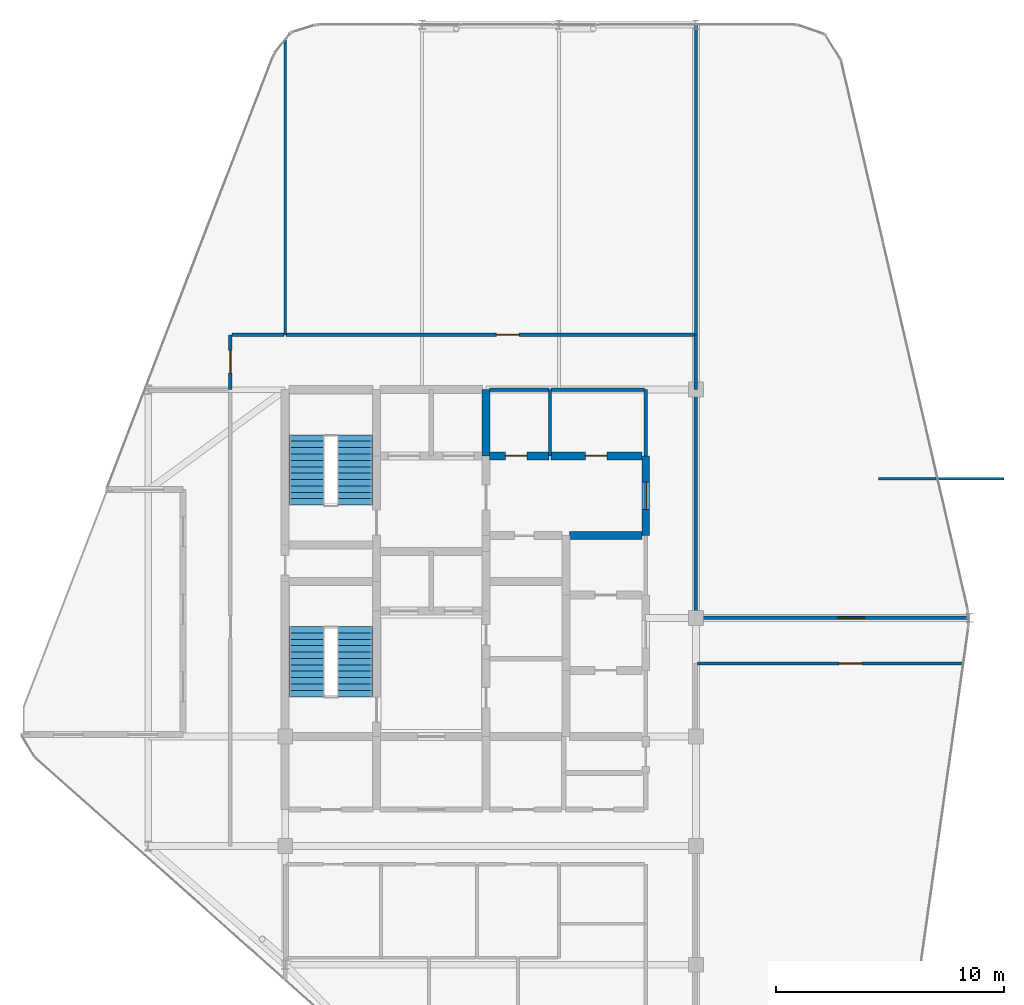
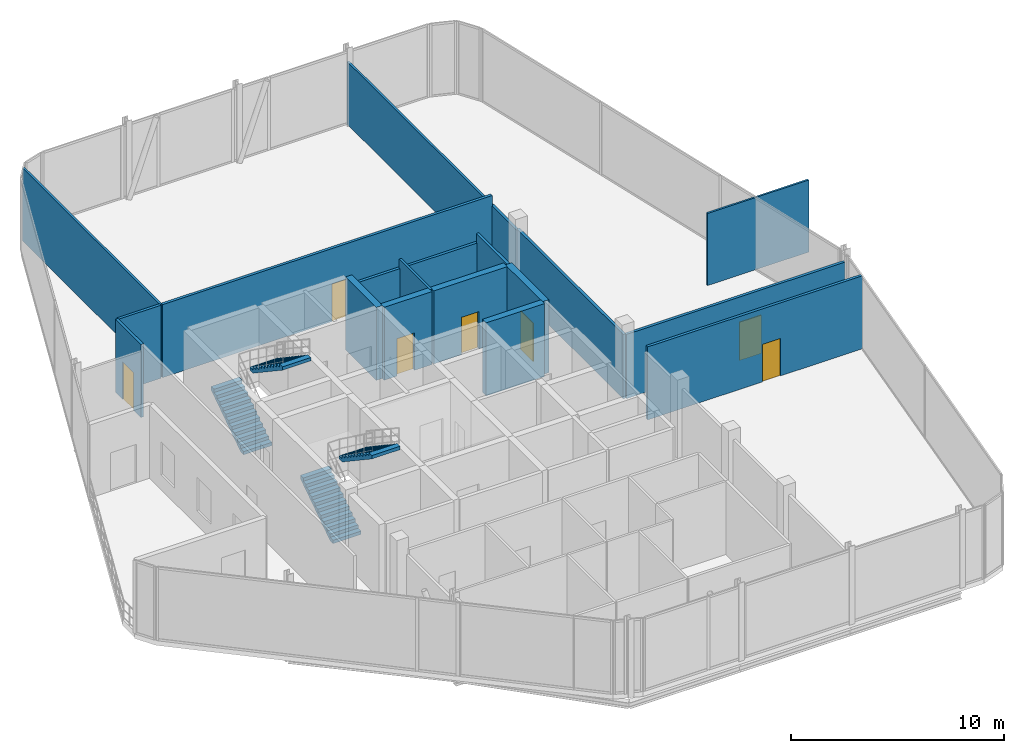
# One storey, part 23 of 24: 19 walls, 7 doors, 4 stair flights, 7 openings, 2 elements without a shape of their own.
"""IFC4 building model written with IfcOpenShell, lengths in metres."""

from ifc_helpers import new_model, si_unit, direction, frame, frame_2d, origin, place, context, subcontext, project, spatial, polyline, rectangle, outline, extrude, material, layer, layer_set, type_object, element, fill, aggregate, save


model = new_model("IFC4")

# Units and contexts
model_context = context("Model", 3, precision=1e-05, world=origin(), true_north=direction((0.0, 1.0)))
body_context = subcontext(model_context, "Body", "Model", "MODEL_VIEW")
ifc_project = project(units=[si_unit("LENGTHUNIT", "METRE"), si_unit("AREAUNIT", "SQUARE_METRE"), si_unit("VOLUMEUNIT", "CUBIC_METRE"), si_unit("PLANEANGLEUNIT", "RADIAN"), si_unit("MASSUNIT", "GRAM", prefix="KILO")], contexts=[model_context])

# Site, building, storey
site_placement = place(None, origin())
site = spatial("IfcSite", under=ifc_project, at=site_placement, CompositionType="ELEMENT")
building_placement = place(site_placement, origin())
building = spatial("IfcBuilding", under=site, at=building_placement, Name="Keshet Zoharim Tower", CompositionType="ELEMENT")
storey_placement = place(building_placement, frame((0.0, 0.0, 299.10009765625)))
storey = spatial("IfcBuildingStorey", under=building, at=storey_placement, Name="L75", CompositionType="ELEMENT", Elevation=299.10009765625)

# Wall, opening, door
ifc_material_1 = material(Name="Gypsum Plasterboard", Category="gypsum")
ifc_layer_1 = layer(ifc_material_1, 0.14990234375)
ifc_layer_set_1 = layer_set([ifc_layer_1], Name="Gypsum Plasterboard")
wall_type_1 = type_object("IfcWallType", Name="WL-CLIN-150", PredefinedType="STANDARD", material=ifc_layer_set_1)
wall_1_placement = place(storey_placement, frame((12.60009765625, 37.89990234375, 0.0), z_axis=(0.0, 0.0, 1.0), x_axis=(0.0, 1.0, 0.0)))
wall_1 = element("IfcWall", 1, at=wall_1_placement, inside=storey, type_object=wall_type_1, Name="L75 Interior Wall 002", PredefinedType="STANDARD", context=body_context, shape_type="SweptSolid", body=[
    extrude(rectangle(XDim=2.400146484375, YDim=0.14990234375, at=frame_2d((1.2001953125, 0.0))), origin(), (0.0, 0.0, 1.0), 4.18994140625),
])
opening_1_placement = place(wall_1_placement, frame((0.72509765625, 0.0, 0.0)))
opening_1 = element("IfcOpeningElement", 2, at=opening_1_placement, cuts=wall_1, Name="Opening D-F310", PredefinedType="OPENING", context=body_context, shape_type="SweptSolid", body=[
    extrude(rectangle(XDim=1.0, YDim=2.14990234375, at=frame_2d((0.5, 1.074951171875))), frame((0.0, 0.0849609375, 0.0), z_axis=(0.0, -1.0, 0.0), x_axis=(1.0, 0.0, 0.0)), (0.0, 0.0, 1.0), 0.169921875),
])
ifc_material_2 = material(Name="Hardwood Timber", Category="wood")
door_type_1 = type_object("IfcDoorType", Name="DR-FD30-100", OperationType="NOTDEFINED", PredefinedType="DOOR", material=ifc_material_2)
door_1_placement = place(opening_1_placement, origin())
door_1 = element("IfcDoor", 3, at=door_1_placement, inside=storey, type_object=door_type_1, Name="L75 North-West Residents Salon Door", OperationType="SINGLE_SWING_LEFT", OverallHeight=2.14990234375, OverallWidth=1.0, PredefinedType="DOOR", context=body_context, shape_type="SweptSolid", body=[
    extrude(rectangle(XDim=1.0, YDim=2.14990234375, at=frame_2d((0.5, 1.074951171875))), frame((0.0, 0.02490234375, 0.0), z_axis=(0.0, -1.0, 0.0), x_axis=(1.0, 0.0, 0.0)), (0.0, 0.0, 1.0), 0.050048828125),
])
fill(opening_1, door_1)

# Walls
wall_2_placement = place(storey_placement, frame((30.800048828125, 35.0, 0.0), z_axis=(0.0, 0.0, 1.0), x_axis=(0.0, 1.0, 0.0)))
element("IfcWall", 4, at=wall_2_placement, inside=storey, type_object=wall_type_1, Name="L75 Interior Wall 045", PredefinedType="STANDARD", context=body_context, shape_type="SweptSolid", body=[
    extrude(rectangle(XDim=2.89990234375, YDim=0.14990234375, at=frame_2d((1.449951171875, 0.0))), origin(), (0.0, 0.0, 1.0), 4.18994140625),
])
wall_3_placement = place(storey_placement, frame((33.0, 27.89990234375, 0.0), z_axis=(0.0, 0.0, 1.0), x_axis=(0.0, 1.0, 0.0)))
element("IfcWall", 5, at=wall_3_placement, inside=storey, type_object=wall_type_1, Name="L75 Interior Wall 047", PredefinedType="STANDARD", context=body_context, shape_type="SweptSolid", body=[
    extrude(rectangle(XDim=10.0, YDim=0.14990234375, at=frame_2d((5.0, 0.0))), origin(), (0.0, 0.0, 1.0), 3.68994140625),
])

# Wall, opening, door
wall_4_placement = place(storey_placement, frame((33.06005859375, 25.89990234375, 0.0), z_axis=(0.0, 0.0, 1.0), x_axis=(1.0, 0.0, 0.0)))
wall_4 = element("IfcWall", 6, at=wall_4_placement, inside=storey, type_object=wall_type_1, Name="L75 Interior Wall 070", PredefinedType="STANDARD", context=body_context, shape_type="SweptSolid", body=[
    extrude(rectangle(XDim=11.64697265625, YDim=0.14990234375, at=frame_2d((5.823486328125, 0.0))), origin(), (0.0, 0.0, 1.0), 4.18994140625),
])
opening_2_placement = place(wall_4_placement, frame((6.218994140625, 0.0, 0.0)))
opening_2 = element("IfcOpeningElement", 7, at=opening_2_placement, cuts=wall_4, Name="Opening D-F310", PredefinedType="OPENING", context=body_context, shape_type="SweptSolid", body=[
    extrude(rectangle(XDim=1.0, YDim=2.14990234375, at=frame_2d((0.5, 1.074951171875))), frame((0.0, 0.0849609375, 0.0), z_axis=(0.0, -1.0, 0.0), x_axis=(1.0, 0.0, 0.0)), (0.0, 0.0, 1.0), 0.169921875),
])
door_2_placement = place(opening_2_placement, origin())
door_2 = element("IfcDoor", 8, at=door_2_placement, inside=storey, type_object=door_type_1, Name="L75 Residents Dining Lounge Door", OperationType="SINGLE_SWING_RIGHT", OverallHeight=2.14990234375, OverallWidth=1.0, PredefinedType="DOOR", context=body_context, shape_type="SweptSolid", body=[
    extrude(rectangle(XDim=1.0, YDim=2.14990234375, at=frame_2d((0.5, 1.074951171875))), frame((0.0, 0.02490234375, 0.0), z_axis=(0.0, -1.0, 0.0), x_axis=(1.0, 0.0, 0.0)), (0.0, 0.0, 1.0), 0.050048828125),
])
fill(opening_2, door_2)

wall_5_placement = place(storey_placement, frame((33.06005859375, 27.89990234375, 0.0), z_axis=(0.0, 0.0, 1.0), x_axis=(1.0, 0.0, 0.0)))
wall_5 = element("IfcWall", 9, at=wall_5_placement, inside=storey, type_object=wall_type_1, Name="L75 Interior Wall 072", PredefinedType="STANDARD", context=body_context, shape_type="SweptSolid", body=[
    extrude(rectangle(XDim=11.862060546875, YDim=0.14990234375, at=frame_2d((5.93115234375, 0.0))), origin(), (0.0, 0.0, 1.0), 3.68994140625),
])
opening_3_placement = place(wall_5_placement, frame((6.155029296875, 0.0, 0.0)))
opening_3 = element("IfcOpeningElement", 10, at=opening_3_placement, cuts=wall_5, Name="Opening D-F612", PredefinedType="OPENING", context=body_context, shape_type="SweptSolid", body=[
    extrude(rectangle(XDim=1.199951171875, YDim=2.199951171875, at=frame_2d((0.60009765625, 1.10009765625))), frame((0.0, 0.0849609375, 0.0), z_axis=(0.0, -1.0, 0.0), x_axis=(1.0, 0.0, 0.0)), (0.0, 0.0, 1.0), 0.169921875),
])
door_type_2 = type_object("IfcDoorType", Name="DR-FD60-120", OperationType="NOTDEFINED", PredefinedType="DOOR", material=ifc_material_2)
door_3_placement = place(opening_3_placement, origin())
door_3 = element("IfcDoor", 11, at=door_3_placement, inside=storey, type_object=door_type_2, Name="L75 Community Assembly Hall Door", OperationType="SINGLE_SWING_LEFT", OverallHeight=2.199951171875, OverallWidth=1.199951171875, PredefinedType="DOOR", context=body_context, shape_type="SweptSolid", body=[
    extrude(rectangle(XDim=1.199951171875, YDim=2.199951171875, at=frame_2d((0.60009765625, 1.10009765625))), frame((0.0, 0.02490234375, 0.0), z_axis=(0.0, -1.0, 0.0), x_axis=(1.0, 0.0, 0.0)), (0.0, 0.0, 1.0), 0.050048828125),
])
fill(opening_3, door_3)

# Walls
wall_6_placement = place(storey_placement, frame((23.9599609375, 37.89990234375, 0.0), z_axis=(0.0, 0.0, 1.0), x_axis=(1.0, 0.0, 0.0)))
element("IfcWall", 12, at=wall_6_placement, inside=storey, type_object=wall_type_1, Name="L75 Interior Wall 087", PredefinedType="STANDARD", context=body_context, shape_type="SweptSolid", body=[
    extrude(rectangle(XDim=2.594970703125, YDim=0.14990234375, at=frame_2d((1.29736328125, 0.0))), origin(), (0.0, 0.0, 1.0), 3.68994140625),
])
wall_7_placement = place(storey_placement, frame((26.64501953125, 37.89990234375, 0.0), z_axis=(0.0, 0.0, 1.0), x_axis=(1.0, 0.0, 0.0)))
element("IfcWall", 13, at=wall_7_placement, inside=storey, type_object=wall_type_1, Name="L75 Interior Wall 088", PredefinedType="STANDARD", context=body_context, shape_type="SweptSolid", body=[
    extrude(rectangle(XDim=4.094970703125, YDim=0.14990234375, at=frame_2d((2.04736328125, 0.0))), origin(), (0.0, 0.0, 1.0), 3.68994140625),
])
wall_8_placement = place(storey_placement, frame((12.659912109375, 40.300048828125, 0.0), z_axis=(0.0, 0.0, 1.0), x_axis=(1.0, 0.0, 0.0)))
element("IfcWall", 14, at=wall_8_placement, inside=storey, type_object=wall_type_1, Name="L75 Interior Wall 089", PredefinedType="STANDARD", context=body_context, shape_type="SweptSolid", body=[
    extrude(rectangle(XDim=2.295166015625, YDim=0.14990234375, at=frame_2d((1.1474609375, 0.0))), origin(), (0.0, 0.0, 1.0), 4.18994140625),
])

# Wall, opening, door
wall_9_placement = place(storey_placement, frame((15.044921875, 40.300048828125, 0.0), z_axis=(0.0, 0.0, 1.0), x_axis=(1.0, 0.0, 0.0)))
wall_9 = element("IfcWall", 15, at=wall_9_placement, inside=storey, type_object=wall_type_1, Name="L75 Interior Wall 090", PredefinedType="STANDARD", context=body_context, shape_type="SweptSolid", body=[
    extrude(rectangle(XDim=17.89501953125, YDim=0.14990234375, at=frame_2d((8.947509765625, 0.0))), origin(), (0.0, 0.0, 1.0), 4.18994140625),
])
opening_4_placement = place(wall_9_placement, frame((9.205078125, 0.0, 0.0)))
opening_4 = element("IfcOpeningElement", 16, at=opening_4_placement, cuts=wall_9, Name="Opening D-F310", PredefinedType="OPENING", context=body_context, shape_type="SweptSolid", body=[
    extrude(rectangle(XDim=1.0, YDim=2.14990234375, at=frame_2d((0.5, 1.074951171875))), frame((0.0, 0.0849609375, 0.0), z_axis=(0.0, -1.0, 0.0), x_axis=(1.0, 0.0, 0.0)), (0.0, 0.0, 1.0), 0.169921875),
])
door_4_placement = place(opening_4_placement, origin())
door_4 = element("IfcDoor", 17, at=door_4_placement, inside=storey, type_object=door_type_1, Name="L75 Library and Study Room Door", OperationType="SINGLE_SWING_RIGHT", OverallHeight=2.14990234375, OverallWidth=1.0, PredefinedType="DOOR", context=body_context, shape_type="SweptSolid", body=[
    extrude(rectangle(XDim=1.0, YDim=2.14990234375, at=frame_2d((0.5, 1.074951171875))), frame((0.0, 0.02490234375, 0.0), z_axis=(0.0, -1.0, 0.0), x_axis=(1.0, 0.0, 0.0)), (0.0, 0.0, 1.0), 0.050048828125),
])
fill(opening_4, door_4)

# Walls
wall_10_placement = place(storey_placement, frame((33.0, 37.89990234375, 0.0), z_axis=(0.0, 0.0, 1.0), x_axis=(0.0, 1.0, 0.0)))
element("IfcWall", 18, at=wall_10_placement, inside=storey, type_object=wall_type_1, Name="L75 Interior Wall 047 Part 2", PredefinedType="STANDARD", context=body_context, shape_type="SweptSolid", body=[
    extrude(rectangle(XDim=2.400146484375, YDim=0.14990234375, at=frame_2d((1.2001953125, 0.0))), origin(), (0.0, 0.0, 1.0), 3.58984375),
])
ifc_material_3 = material(Name="Concrete C60/75", Category="concrete")
ifc_layer_2 = layer(ifc_material_3, 0.35009765625)
ifc_layer_set_2 = layer_set([ifc_layer_2], Name="Concrete C60/75")
wall_type_2 = type_object("IfcWallType", Name="WL-CORE-350", PredefinedType="SHEAR", material=ifc_layer_set_2)
wall_11_placement = place(storey_placement, frame((23.800048828125, 35.0, 0.0), z_axis=(0.0, 0.0, 1.0), x_axis=(0.0, 1.0, 0.0)))
element("IfcWall", 19, at=wall_11_placement, inside=storey, type_object=wall_type_2, Name="L75 Core Shear Wall 026", PredefinedType="SHEAR", context=body_context, shape_type="SweptSolid", body=[
    extrude(rectangle(XDim=2.89990234375, YDim=0.35009765625, at=frame_2d((1.449951171875, 0.0))), origin(), (0.0, 0.0, 1.0), 4.18994140625),
])

# Wall, opening, door
wall_12_placement = place(storey_placement, frame((30.800048828125, 31.5, 0.0), z_axis=(0.0, 0.0, 1.0), x_axis=(0.0, 1.0, 0.0)))
wall_12 = element("IfcWall", 20, at=wall_12_placement, inside=storey, type_object=wall_type_2, Name="L75 Core Shear Wall 044", PredefinedType="SHEAR", context=body_context, shape_type="SweptSolid", body=[
    extrude(rectangle(XDim=3.5, YDim=0.35009765625, at=frame_2d((1.75, 0.0))), origin(), (0.0, 0.0, 1.0), 4.18994140625),
])
opening_5_placement = place(wall_12_placement, frame((1.14990234375, 0.0, 0.0)))
opening_5 = element("IfcOpeningElement", 21, at=opening_5_placement, cuts=wall_12, Name="Opening D-F612", PredefinedType="OPENING", context=body_context, shape_type="SweptSolid", body=[
    extrude(rectangle(XDim=1.199951171875, YDim=2.199951171875, at=frame_2d((0.60009765625, 1.10009765625))), frame((0.0, 0.18505859375, 0.0), z_axis=(0.0, -1.0, 0.0), x_axis=(1.0, 0.0, 0.0)), (0.0, 0.0, 1.0), 0.3701171875),
])
door_5_placement = place(opening_5_placement, origin())
door_5 = element("IfcDoor", 22, at=door_5_placement, inside=storey, type_object=door_type_2, Name="L75 North Lift Lobby East Fire Door", OperationType="SINGLE_SWING_RIGHT", OverallHeight=2.199951171875, OverallWidth=1.199951171875, PredefinedType="DOOR", context=body_context, shape_type="SweptSolid", body=[
    extrude(rectangle(XDim=1.199951171875, YDim=2.199951171875, at=frame_2d((0.60009765625, 1.10009765625))), frame((0.0, 0.02490234375, 0.0), z_axis=(0.0, -1.0, 0.0), x_axis=(1.0, 0.0, 0.0)), (0.0, 0.0, 1.0), 0.050048828125),
])
fill(opening_5, door_5)

# Wall
wall_13_placement = place(storey_placement, frame((27.4599609375, 31.5, 0.0), z_axis=(0.0, 0.0, 1.0), x_axis=(1.0, 0.0, 0.0)))
element("IfcWall", 23, at=wall_13_placement, inside=storey, type_object=wall_type_2, Name="L75 Core Shear Wall 080", PredefinedType="SHEAR", context=body_context, shape_type="SweptSolid", body=[
    extrude(rectangle(XDim=3.179931640625, YDim=0.35009765625, at=frame_2d((1.58984375, 0.0))), origin(), (0.0, 0.0, 1.0), 4.18994140625),
])

# Wall, opening, door
wall_14_placement = place(storey_placement, frame((23.9599609375, 35.0, 0.0), z_axis=(0.0, 0.0, 1.0), x_axis=(1.0, 0.0, 0.0)))
wall_14 = element("IfcWall", 24, at=wall_14_placement, inside=storey, type_object=wall_type_2, Name="L75 Core Shear Wall 082", PredefinedType="SHEAR", context=body_context, shape_type="SweptSolid", body=[
    extrude(rectangle(XDim=2.594970703125, YDim=0.35009765625, at=frame_2d((1.29736328125, 0.0))), origin(), (0.0, 0.0, 1.0), 4.18994140625),
])
opening_6_placement = place(wall_14_placement, frame((0.69091796875, 0.0, 0.0)))
opening_6 = element("IfcOpeningElement", 25, at=opening_6_placement, cuts=wall_14, Name="Opening D-F695", PredefinedType="OPENING", context=body_context, shape_type="SweptSolid", body=[
    extrude(rectangle(XDim=0.949951171875, YDim=2.14990234375, at=frame_2d((0.47509765625, 1.074951171875))), frame((0.0, 0.18505859375, 0.0), z_axis=(0.0, -1.0, 0.0), x_axis=(1.0, 0.0, 0.0)), (0.0, 0.0, 1.0), 0.3701171875),
])
door_type_3 = type_object("IfcDoorType", Name="DR-FD60-095", OperationType="NOTDEFINED", PredefinedType="DOOR", material=ifc_material_2)
door_6_placement = place(opening_6_placement, frame((0.949951171875, 0.0, 0.0), z_axis=(0.0, 0.0, 1.0), x_axis=(-1.0, 0.0, 0.0)))
door_6 = element("IfcDoor", 26, at=door_6_placement, inside=storey, type_object=door_type_3, Name="L75 Laundry Room Door", OperationType="SINGLE_SWING_RIGHT", OverallHeight=2.14990234375, OverallWidth=0.949951171875, PredefinedType="DOOR", context=body_context, shape_type="SweptSolid", body=[
    extrude(rectangle(XDim=0.949951171875, YDim=2.14990234375, at=frame_2d((0.47509765625, 1.074951171875))), frame((0.0, 0.02490234375, 0.0), z_axis=(0.0, -1.0, 0.0), x_axis=(1.0, 0.0, 0.0)), (0.0, 0.0, 1.0), 0.050048828125),
])
fill(opening_6, door_6)

wall_15_placement = place(storey_placement, frame((26.64501953125, 35.0, 0.0), z_axis=(0.0, 0.0, 1.0), x_axis=(1.0, 0.0, 0.0)))
wall_15 = element("IfcWall", 27, at=wall_15_placement, inside=storey, type_object=wall_type_2, Name="L75 Core Shear Wall 083", PredefinedType="SHEAR", context=body_context, shape_type="SweptSolid", body=[
    extrude(rectangle(XDim=3.994873046875, YDim=0.35009765625, at=frame_2d((1.99755859375, 0.0))), origin(), (0.0, 0.0, 1.0), 4.18994140625),
])
opening_7_placement = place(wall_15_placement, frame((1.508056640625, 0.0, 0.0)))
opening_7 = element("IfcOpeningElement", 28, at=opening_7_placement, cuts=wall_15, Name="Opening D-F695", PredefinedType="OPENING", context=body_context, shape_type="SweptSolid", body=[
    extrude(rectangle(XDim=0.949951171875, YDim=2.14990234375, at=frame_2d((0.47509765625, 1.074951171875))), frame((0.0, 0.18505859375, 0.0), z_axis=(0.0, -1.0, 0.0), x_axis=(1.0, 0.0, 0.0)), (0.0, 0.0, 1.0), 0.3701171875),
])
door_7_placement = place(opening_7_placement, frame((0.949951171875, 0.0, 0.0), z_axis=(0.0, 0.0, 1.0), x_axis=(-1.0, 0.0, 0.0)))
door_7 = element("IfcDoor", 29, at=door_7_placement, inside=storey, type_object=door_type_3, Name="L75 Quiet Study Room Door", OperationType="SINGLE_SWING_LEFT", OverallHeight=2.14990234375, OverallWidth=0.949951171875, PredefinedType="DOOR", context=body_context, shape_type="SweptSolid", body=[
    extrude(rectangle(XDim=0.949951171875, YDim=2.14990234375, at=frame_2d((0.47509765625, 1.074951171875))), frame((0.0, 0.02490234375, 0.0), z_axis=(0.0, -1.0, 0.0), x_axis=(1.0, 0.0, 0.0)), (0.0, 0.0, 1.0), 0.050048828125),
])
fill(opening_7, door_7)

# Walls
ifc_layer_3 = layer(ifc_material_1, 0.10009765625)
ifc_layer_set_3 = layer_set([ifc_layer_3], Name="Gypsum Plasterboard")
wall_type_3 = type_object("IfcWallType", Name="WL-MOV-100", PredefinedType="MOVABLE", material=ifc_layer_set_3)
wall_16_placement = place(storey_placement, frame((41.0, 34.0, 0.0), z_axis=(0.0, 0.0, 1.0), x_axis=(1.0, 0.0, 0.0)))
element("IfcWall", 30, at=wall_16_placement, inside=storey, type_object=wall_type_3, Name="L75 Community Hall Movable Acoustic Partition", PredefinedType="MOVABLE", context=body_context, shape_type="SweptSolid", body=[
    extrude(rectangle(XDim=5.5, YDim=0.10009765625, at=frame_2d((2.75, 0.0))), origin(), (0.0, 0.0, 1.0), 4.139892578125),
])
ifc_layer_4 = layer(ifc_material_1, 0.1201171875)
ifc_layer_set_4 = layer_set([ifc_layer_4], Name="Gypsum Plasterboard")
wall_type_4 = type_object("IfcWallType", Name="WL-PART-120", PredefinedType="PARTITIONING", material=ifc_layer_set_4)
wall_17_placement = place(storey_placement, frame((15.0, 40.300048828125, 0.0), z_axis=(0.0, 0.0, 1.0), x_axis=(0.0, 1.0, 0.0)))
element("IfcWall", 31, at=wall_17_placement, inside=storey, type_object=wall_type_4, Name="L75 Interior Wall 009", PredefinedType="PARTITIONING", context=body_context, shape_type="SweptSolid", body=[
    extrude(rectangle(XDim=12.932861328125, YDim=0.1201171875, at=frame_2d((6.46630859375, 0.0))), origin(), (0.0, 0.0, 1.0), 4.18994140625),
])
wall_18_placement = place(storey_placement, frame((26.60009765625, 35.0, 0.0), z_axis=(0.0, 0.0, 1.0), x_axis=(0.0, 1.0, 0.0)))
element("IfcWall", 32, at=wall_18_placement, inside=storey, type_object=wall_type_4, Name="L75 Interior Wall 028", PredefinedType="PARTITIONING", context=body_context, shape_type="SweptSolid", body=[
    extrude(rectangle(XDim=2.89990234375, YDim=0.1201171875, at=frame_2d((1.449951171875, 0.0))), origin(), (0.0, 0.0, 1.0), 4.18994140625),
])
wall_19_placement = place(storey_placement, frame((33.0, 40.300048828125, 0.0), z_axis=(0.0, 0.0, 1.0), x_axis=(0.0, 1.0, 0.0)))
element("IfcWall", 33, at=wall_19_placement, inside=storey, type_object=wall_type_4, Name="L75 Interior Wall 048", PredefinedType="PARTITIONING", context=body_context, shape_type="SweptSolid", body=[
    extrude(rectangle(XDim=13.58984375, YDim=0.1201171875, at=frame_2d((6.794921875, 0.0))), origin(), (0.0, 0.0, 1.0), 3.58984375),
])

# Stair, stair flights
ifc_material_4 = material(Name="Concrete C50/60", Category="concrete")
stair_type = type_object("IfcStairType", Name="STR-EXIT-135", PredefinedType="HALF_TURN_STAIR", material=ifc_material_4)
stair_1_placement = place(storey_placement, origin())
stair_1 = element("IfcStair", 34, at=stair_1_placement, inside=storey, type_object=stair_type, Name="L75 Enclosed Exit Stair ST-01", PredefinedType="HALF_TURN_STAIR")
stair_flight_type = type_object("IfcStairFlightType", Name="FLT-PRE-135", PredefinedType="STRAIGHT", material=ifc_material_4)
stair_flight_1_placement = place(storey_placement, frame((15.945068359375, 24.43994140625, 0.0), z_axis=(0.0, 0.0, 1.0), x_axis=(0.0, 1.0, 0.0)))
stair_flight_1 = element("IfcStairFlight", 35, at=stair_flight_1_placement, type_object=stair_flight_type, Name="ST-01 flight 1", NumberOfRisers=12, NumberOfTreads=11, PredefinedType="STRAIGHT", RiserHeight=0.1875, TreadLength=0.28, context=body_context, shape_type="SweptSolid", body=[
    extrude(outline(polyline([(0.0, 0.0), (0.0, 0.1875), (0.280029296875, 0.1875), (0.280029296875, 0.375), (0.56005859375, 0.375), (0.56005859375, 0.5625), (0.840087890625, 0.5625), (0.840087890625, 0.75), (1.1201171875, 0.75), (1.1201171875, 0.9375), (1.39990234375, 0.9375), (1.39990234375, 1.125), (1.679931640625, 1.125), (1.679931640625, 1.3125), (1.9599609375, 1.3125), (1.9599609375, 1.5), (2.239990234375, 1.5), (2.239990234375, 1.6875), (2.52001953125, 1.6875), (2.52001953125, 1.875), (2.800048828125, 1.875), (2.800048828125, 2.0625), (3.080078125, 2.0625), (3.080078125, 2.25), (3.080078125, 1.8701171875), (0.287353515625, 0.0), (0.0, 0.0)])), frame((0.0, 0.76513671875, 0.0), z_axis=(0.0, -1.0, 0.0), x_axis=(1.0, 0.0, 0.0)), (0.0, 0.0, 1.0), 1.530029296875),
])
stair_flight_2_placement = place(storey_placement, frame((18.054931640625, 27.52001953125, 2.25), z_axis=(0.0, 0.0, 1.0), x_axis=(0.0, -1.0, 0.0)))
stair_flight_2 = element("IfcStairFlight", 36, at=stair_flight_2_placement, type_object=stair_flight_type, Name="ST-01 flight 2", NumberOfRisers=12, NumberOfTreads=11, PredefinedType="STRAIGHT", RiserHeight=0.1875, TreadLength=0.28, context=body_context, shape_type="SweptSolid", body=[
    extrude(outline(polyline([(0.0, 0.0), (0.0, 0.1875), (0.280029296875, 0.1875), (0.280029296875, 0.375), (0.56005859375, 0.375), (0.56005859375, 0.5625), (0.840087890625, 0.5625), (0.840087890625, 0.75), (1.1201171875, 0.75), (1.1201171875, 0.9375), (1.39990234375, 0.9375), (1.39990234375, 1.125), (1.679931640625, 1.125), (1.679931640625, 1.3125), (1.9599609375, 1.3125), (1.9599609375, 1.5), (2.239990234375, 1.5), (2.239990234375, 1.6875), (2.52001953125, 1.6875), (2.52001953125, 1.875), (2.800048828125, 1.875), (2.800048828125, 2.0625), (3.080078125, 2.0625), (3.080078125, 2.25), (3.080078125, 1.8701171875), (0.287353515625, 0.0), (0.0, 0.0)])), frame((0.0, 0.76513671875, 0.0), z_axis=(0.0, -1.0, 0.0), x_axis=(1.0, 0.0, 0.0)), (0.0, 0.0, 1.0), 1.530029296875),
])
aggregate(stair_1, [stair_flight_1, stair_flight_2])

stair_2_placement = place(storey_placement, origin())
stair_2 = element("IfcStair", 37, at=stair_2_placement, inside=storey, type_object=stair_type, Name="L75 Enclosed Exit Stair ST-02", PredefinedType="HALF_TURN_STAIR")
stair_flight_3_placement = place(storey_placement, frame((15.945068359375, 32.840087890625, 0.0), z_axis=(0.0, 0.0, 1.0), x_axis=(0.0, 1.0, 0.0)))
stair_flight_3 = element("IfcStairFlight", 38, at=stair_flight_3_placement, type_object=stair_flight_type, Name="ST-02 flight 1", NumberOfRisers=12, NumberOfTreads=11, PredefinedType="STRAIGHT", RiserHeight=0.1875, TreadLength=0.28, context=body_context, shape_type="SweptSolid", body=[
    extrude(outline(polyline([(0.0, 0.0), (0.0, 0.1875), (0.280029296875, 0.1875), (0.280029296875, 0.375), (0.56005859375, 0.375), (0.56005859375, 0.5625), (0.840087890625, 0.5625), (0.840087890625, 0.75), (1.1201171875, 0.75), (1.1201171875, 0.9375), (1.39990234375, 0.9375), (1.39990234375, 1.125), (1.679931640625, 1.125), (1.679931640625, 1.3125), (1.9599609375, 1.3125), (1.9599609375, 1.5), (2.239990234375, 1.5), (2.239990234375, 1.6875), (2.52001953125, 1.6875), (2.52001953125, 1.875), (2.800048828125, 1.875), (2.800048828125, 2.0625), (3.080078125, 2.0625), (3.080078125, 2.25), (3.080078125, 1.8701171875), (0.287353515625, 0.0), (0.0, 0.0)])), frame((0.0, 0.76513671875, 0.0), z_axis=(0.0, -1.0, 0.0), x_axis=(1.0, 0.0, 0.0)), (0.0, 0.0, 1.0), 1.530029296875),
])
stair_flight_4_placement = place(storey_placement, frame((18.054931640625, 35.919921875, 2.25), z_axis=(0.0, 0.0, 1.0), x_axis=(0.0, -1.0, 0.0)))
stair_flight_4 = element("IfcStairFlight", 39, at=stair_flight_4_placement, type_object=stair_flight_type, Name="ST-02 flight 2", NumberOfRisers=12, NumberOfTreads=11, PredefinedType="STRAIGHT", RiserHeight=0.1875, TreadLength=0.28, context=body_context, shape_type="SweptSolid", body=[
    extrude(outline(polyline([(0.0, 0.0), (0.0, 0.1875), (0.280029296875, 0.1875), (0.280029296875, 0.375), (0.56005859375, 0.375), (0.56005859375, 0.5625), (0.840087890625, 0.5625), (0.840087890625, 0.75), (1.1201171875, 0.75), (1.1201171875, 0.9375), (1.39990234375, 0.9375), (1.39990234375, 1.125), (1.679931640625, 1.125), (1.679931640625, 1.3125), (1.9599609375, 1.3125), (1.9599609375, 1.5), (2.239990234375, 1.5), (2.239990234375, 1.6875), (2.52001953125, 1.6875), (2.52001953125, 1.875), (2.800048828125, 1.875), (2.800048828125, 2.0625), (3.080078125, 2.0625), (3.080078125, 2.25), (3.080078125, 1.8701171875), (0.287353515625, 0.0), (0.0, 0.0)])), frame((0.0, 0.76513671875, 0.0), z_axis=(0.0, -1.0, 0.0), x_axis=(1.0, 0.0, 0.0)), (0.0, 0.0, 1.0), 1.530029296875),
])
aggregate(stair_2, [stair_flight_3, stair_flight_4])

save(model, "model.ifc")
